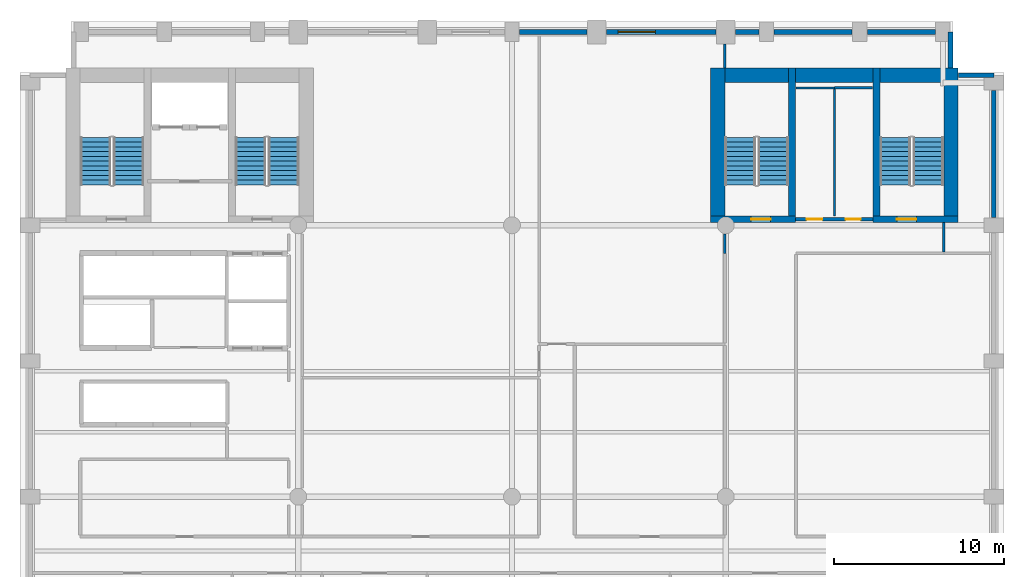
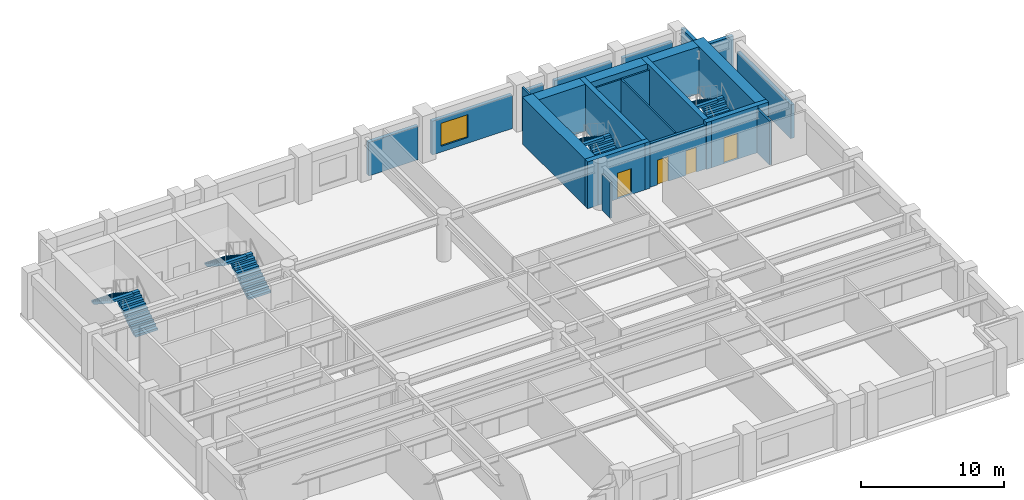
# One storey, part 5 of 7: 22 walls, 8 stair flights, 4 doors, 1 window, 5 openings, 4 elements without a shape of their own.
"""IFC4 building model written with IfcOpenShell, lengths in metres."""

from ifc_helpers import new_model, si_unit, direction, frame, frame_2d, origin, place, context, subcontext, project, spatial, polyline, rectangle, outline, extrude, material, layer, layer_set, type_object, element, fill, aggregate, save


model = new_model("IFC4")

# Units and contexts
model_context = context("Model", 3, precision=1e-05, world=origin(), true_north=direction((0.0, 1.0)))
body_context = subcontext(model_context, "Body", "Model", "MODEL_VIEW")
ifc_project = project(units=[si_unit("LENGTHUNIT", "METRE"), si_unit("AREAUNIT", "SQUARE_METRE"), si_unit("VOLUMEUNIT", "CUBIC_METRE"), si_unit("PLANEANGLEUNIT", "RADIAN"), si_unit("MASSUNIT", "GRAM", prefix="KILO")], contexts=[model_context])

# Site, building, storey
site_placement = place(None, origin())
site = spatial("IfcSite", under=ifc_project, at=site_placement, CompositionType="ELEMENT")
building_placement = place(site_placement, origin())
building = spatial("IfcBuilding", under=site, at=building_placement, Name="Sulina Concourse Tower", CompositionType="ELEMENT")
storey_placement = place(building_placement, frame((0.0, 0.0, 92.60009765625)))
storey = spatial("IfcBuildingStorey", under=building, at=storey_placement, Name="L22", CompositionType="ELEMENT", Elevation=92.60009765625)

# Wall, openings, doors
ifc_material_1 = material(Name="Gypsum board on steel stud", Category="steel")
ifc_layer_1 = layer(ifc_material_1, 0.219970703125)
ifc_layer_set_1 = layer_set([ifc_layer_1], Name="Gypsum board on steel stud")
wall_type_1 = type_object("IfcWallType", Name="Fire-Rated Lobby & Compartment Wall 220mm", PredefinedType="PARTITIONING", material=ifc_layer_set_1)
wall_1_placement = place(storey_placement, frame((45.719970703125, 34.35009765625, 0.0), z_axis=(0.0, 0.0, 1.0), x_axis=(1.0, 0.0, 0.0)))
wall_1 = element("IfcWall", 1, at=wall_1_placement, inside=storey, type_object=wall_type_1, Name="L22 east core south lobby wall", PredefinedType="PARTITIONING", context=body_context, shape_type="SweptSolid", body=[
    extrude(rectangle(XDim=4.56005859375, YDim=0.219970703125, at=frame_2d((2.280029296875, 0.0))), origin(), (0.0, 0.0, 1.0), 3.724853515625),
])
opening_1_placement = place(wall_1_placement, frame((0.64990234375, 0.0, 0.0)))
opening_1 = element("IfcOpeningElement", 2, at=opening_1_placement, cuts=wall_1, Name="Opening DR-61", PredefinedType="OPENING", context=body_context, shape_type="SweptSolid", body=[
    extrude(rectangle(XDim=0.919921875, YDim=2.10009765625, at=frame_2d((0.4599609375, 1.050048828125))), frame((0.0, 0.119873046875, 0.0), z_axis=(0.0, -1.0, 0.0), x_axis=(1.0, 0.0, 0.0)), (0.0, 0.0, 1.0), 0.239990234375),
])
opening_2_placement = place(wall_1_placement, frame((2.949951171875, 0.0, 0.0)))
opening_2 = element("IfcOpeningElement", 3, at=opening_2_placement, cuts=wall_1, Name="Opening DR-38", PredefinedType="OPENING", context=body_context, shape_type="SweptSolid", body=[
    extrude(rectangle(XDim=0.8798828125, YDim=2.10009765625, at=frame_2d((0.43994140625, 1.050048828125))), frame((0.0, 0.119873046875, 0.0), z_axis=(0.0, -1.0, 0.0), x_axis=(1.0, 0.0, 0.0)), (0.0, 0.0, 1.0), 0.239990234375),
])
ifc_material_2 = material(Name="Oak-veneered fire door leaf")
ifc_layer_2 = layer(ifc_material_2, 0.050048828125)
ifc_layer_set_2 = layer_set([ifc_layer_2], Name="Oak-veneered fire door leaf")
door_type_1 = type_object("IfcDoorType", Name="Accessible WC Door 920x2100", OperationType="NOTDEFINED", PredefinedType="DOOR", material=ifc_layer_set_2)
door_1_placement = place(opening_1_placement, origin())
door_1 = element("IfcDoor", 4, at=door_1_placement, inside=storey, type_object=door_type_1, Name="L22 east core accessible wc door", OperationType="SINGLE_SWING_LEFT", OverallHeight=2.10009765625, OverallWidth=0.919921875, PredefinedType="DOOR", context=body_context, shape_type="SweptSolid", body=[
    extrude(rectangle(XDim=0.919921875, YDim=2.10009765625, at=frame_2d((0.4599609375, 1.050048828125))), frame((0.0, 0.02490234375, 0.0), z_axis=(0.0, -1.0, 0.0), x_axis=(1.0, 0.0, 0.0)), (0.0, 0.0, 1.0), 0.050048828125),
])
fill(opening_1, door_1)
ifc_material_3 = material(Name="Galvanised steel acoustic fire leaf", Category="steel")
ifc_layer_3 = layer(ifc_material_3, 0.050048828125)
ifc_layer_set_3 = layer_set([ifc_layer_3], Name="Galvanised steel acoustic fire leaf")
door_type_2 = type_object("IfcDoorType", Name="Service Riser Fire Door 880x2100", OperationType="NOTDEFINED", PredefinedType="DOOR", material=ifc_layer_set_3)
door_2_placement = place(opening_2_placement, origin())
door_2 = element("IfcDoor", 5, at=door_2_placement, inside=storey, type_object=door_type_2, Name="L22 east core store door", OperationType="SINGLE_SWING_RIGHT", OverallHeight=2.10009765625, OverallWidth=0.8798828125, PredefinedType="DOOR", context=body_context, shape_type="SweptSolid", body=[
    extrude(rectangle(XDim=0.8798828125, YDim=2.10009765625, at=frame_2d((0.43994140625, 1.050048828125))), frame((0.0, 0.02490234375, 0.0), z_axis=(0.0, -1.0, 0.0), x_axis=(1.0, 0.0, 0.0)), (0.0, 0.0, 1.0), 0.050048828125),
])
fill(opening_2, door_2)

# Walls
ifc_material_4 = material(Name="Gypsum board on steel stud", Category="steel")
ifc_layer_4 = layer(ifc_material_4, 0.14990234375)
ifc_layer_set_4 = layer_set([ifc_layer_4], Name="Gypsum board on steel stud")
wall_type_2 = type_object("IfcWallType", Name="Inter-Tenancy Acoustic Partition 150mm", PredefinedType="PARTITIONING", material=ifc_layer_set_4)
wall_2_placement = place(storey_placement, frame((48.0, 42.10009765625, 0.0), z_axis=(0.0, 0.0, 1.0), x_axis=(1.0, 0.0, 0.0)))
element("IfcWall", 6, at=wall_2_placement, inside=storey, type_object=wall_type_2, Name="L22 interior partition 022", PredefinedType="PARTITIONING", context=body_context, shape_type="SweptSolid", body=[
    extrude(rectangle(XDim=2.25, YDim=0.14990234375, at=frame_2d((1.125, 0.0))), origin(), (0.0, 0.0, 1.0), 3.724853515625),
])
wall_3_placement = place(storey_placement, frame((41.550048828125, 32.35009765625, 0.0), z_axis=(0.0, 0.0, 1.0), x_axis=(0.0, 1.0, 0.0)))
element("IfcWall", 7, at=wall_3_placement, inside=storey, type_object=wall_type_2, Name="L22 interior partition 043", PredefinedType="PARTITIONING", context=body_context, shape_type="SweptSolid", body=[
    extrude(rectangle(XDim=1.14990234375, YDim=0.14990234375, at=frame_2d((0.574951171875, 0.0))), origin(), (0.0, 0.0, 1.0), 3.06982421875),
])
wall_4_placement = place(storey_placement, frame((41.550048828125, 43.280029296875, 0.0), z_axis=(0.0, 0.0, 1.0), x_axis=(0.0, 1.0, 0.0)))
element("IfcWall", 8, at=wall_4_placement, inside=storey, type_object=wall_type_2, Name="L22 interior partition 044", PredefinedType="PARTITIONING", context=body_context, shape_type="SweptSolid", body=[
    extrude(rectangle(XDim=1.419921875, YDim=0.14990234375, at=frame_2d((0.7099609375, 0.0))), origin(), (0.0, 0.0, 1.0), 3.724853515625),
])
wall_5_placement = place(storey_placement, frame((54.449951171875, 32.425048828125, 0.0), z_axis=(0.0, 0.0, 1.0), x_axis=(0.0, 1.0, 0.0)))
element("IfcWall", 9, at=wall_5_placement, inside=storey, type_object=wall_type_2, Name="L22 interior partition 048", PredefinedType="PARTITIONING", context=body_context, shape_type="SweptSolid", body=[
    extrude(rectangle(XDim=1.724853515625, YDim=0.14990234375, at=frame_2d((0.8623046875, 0.0))), origin(), (0.0, 0.0, 1.0), 3.724853515625),
])

# Wall, opening, door
ifc_material_5 = material(Name="Concrete C60/75", Category="concrete")
ifc_layer_5 = layer(ifc_material_5, 0.39990234375)
ifc_layer_set_5 = layer_set([ifc_layer_5], Name="Concrete C60/75")
wall_type_3 = type_object("IfcWallType", Name="Protected Stair Core Shear Wall 400mm", PredefinedType="SHEAR", material=ifc_layer_set_5)
wall_6_placement = place(storey_placement, frame((40.699951171875, 34.35009765625, 0.0), z_axis=(0.0, 0.0, 1.0), x_axis=(1.0, 0.0, 0.0)))
wall_6 = element("IfcWall", 10, at=wall_6_placement, inside=storey, type_object=wall_type_3, Name="L22 east core shear wall CW-ES1", PredefinedType="SHEAR", context=body_context, shape_type="SweptSolid", body=[
    extrude(rectangle(XDim=5.010009765625, YDim=0.39990234375, at=frame_2d((2.5048828125, 0.0))), origin(), (0.0, 0.0, 1.0), 4.0),
])
opening_3_placement = place(wall_6_placement, frame((2.39990234375, 0.0, 0.0)))
opening_3 = element("IfcOpeningElement", 11, at=opening_3_placement, cuts=wall_6, Name="Opening DR-60", PredefinedType="OPENING", context=body_context, shape_type="SweptSolid", body=[
    extrude(rectangle(XDim=1.14990234375, YDim=2.199951171875, at=frame_2d((0.574951171875, 1.10009765625))), frame((0.0, 0.2099609375, 0.0), z_axis=(0.0, -1.0, 0.0), x_axis=(1.0, 0.0, 0.0)), (0.0, 0.0, 1.0), 0.419921875),
])
ifc_material_6 = material(Name="Galvanised steel acoustic fire leaf", Category="steel")
ifc_layer_6 = layer(ifc_material_6, 0.054931640625)
ifc_layer_set_6 = layer_set([ifc_layer_6], Name="Galvanised steel acoustic fire leaf")
door_type_3 = type_object("IfcDoorType", Name="Protected Exit Stair Fire Door 1150x2200", OperationType="NOTDEFINED", PredefinedType="DOOR", material=ifc_layer_set_6)
door_3_placement = place(opening_3_placement, origin())
door_3 = element("IfcDoor", 12, at=door_3_placement, inside=storey, type_object=door_type_3, Name="L22 stair ST-3 south lobby fire door", OperationType="SINGLE_SWING_RIGHT", OverallHeight=2.199951171875, OverallWidth=1.14990234375, PredefinedType="DOOR", context=body_context, shape_type="SweptSolid", body=[
    extrude(rectangle(XDim=1.14990234375, YDim=2.199951171875, at=frame_2d((0.574951171875, 1.10009765625))), frame((0.0, 0.02490234375, 0.0), z_axis=(0.0, -1.0, 0.0), x_axis=(1.0, 0.0, 0.0)), (0.0, 0.0, 1.0), 0.050048828125),
])
fill(opening_3, door_3)

# Wall
wall_7_placement = place(storey_placement, frame((45.510009765625, 34.14990234375, 0.0), z_axis=(0.0, 0.0, 1.0), x_axis=(0.0, 1.0, 0.0)))
element("IfcWall", 13, at=wall_7_placement, inside=storey, type_object=wall_type_3, Name="L22 east core shear wall SW-ST3", PredefinedType="SHEAR", context=body_context, shape_type="SweptSolid", body=[
    extrude(rectangle(XDim=9.130126953125, YDim=0.39990234375, at=frame_2d((4.56494140625, 0.0))), origin(), (0.0, 0.0, 1.0), 4.0),
])

# Wall, opening, door
wall_8_placement = place(storey_placement, frame((50.2900390625, 34.35009765625, 0.0), z_axis=(0.0, 0.0, 1.0), x_axis=(1.0, 0.0, 0.0)))
wall_8 = element("IfcWall", 14, at=wall_8_placement, inside=storey, type_object=wall_type_3, Name="L22 east core shear wall CW-ES2", PredefinedType="SHEAR", context=body_context, shape_type="SweptSolid", body=[
    extrude(rectangle(XDim=5.010009765625, YDim=0.39990234375, at=frame_2d((2.5048828125, 0.0))), origin(), (0.0, 0.0, 1.0), 4.0),
])
opening_4_placement = place(wall_8_placement, frame((1.39990234375, 0.0, 0.0)))
opening_4 = element("IfcOpeningElement", 15, at=opening_4_placement, cuts=wall_8, Name="Opening DR-60", PredefinedType="OPENING", context=body_context, shape_type="SweptSolid", body=[
    extrude(rectangle(XDim=1.14990234375, YDim=2.199951171875, at=frame_2d((0.574951171875, 1.10009765625))), frame((0.0, 0.2099609375, 0.0), z_axis=(0.0, -1.0, 0.0), x_axis=(1.0, 0.0, 0.0)), (0.0, 0.0, 1.0), 0.419921875),
])
door_4_placement = place(opening_4_placement, origin())
door_4 = element("IfcDoor", 16, at=door_4_placement, inside=storey, type_object=door_type_3, Name="L22 stair ST-4 south lobby fire door", OperationType="SINGLE_SWING_LEFT", OverallHeight=2.199951171875, OverallWidth=1.14990234375, PredefinedType="DOOR", context=body_context, shape_type="SweptSolid", body=[
    extrude(rectangle(XDim=1.14990234375, YDim=2.199951171875, at=frame_2d((0.574951171875, 1.10009765625))), frame((0.0, 0.02490234375, 0.0), z_axis=(0.0, -1.0, 0.0), x_axis=(1.0, 0.0, 0.0)), (0.0, 0.0, 1.0), 0.050048828125),
])
fill(opening_4, door_4)

# Walls
wall_9_placement = place(storey_placement, frame((50.489990234375, 34.14990234375, 0.0), z_axis=(0.0, 0.0, 1.0), x_axis=(0.0, 1.0, 0.0)))
element("IfcWall", 17, at=wall_9_placement, inside=storey, type_object=wall_type_3, Name="L22 east core shear wall SW-ST4", PredefinedType="SHEAR", context=body_context, shape_type="SweptSolid", body=[
    extrude(rectangle(XDim=9.130126953125, YDim=0.39990234375, at=frame_2d((4.56494140625, 0.0))), origin(), (0.0, 0.0, 1.0), 4.0),
])
ifc_material_7 = material(Name="Concrete C60/75", Category="concrete")
ifc_layer_7 = layer(ifc_material_7, 0.85009765625)
ifc_layer_set_7 = layer_set([ifc_layer_7], Name="Concrete C60/75")
wall_type_4 = type_object("IfcWallType", Name="Rear Core Shear Wall 850mm", PredefinedType="SHEAR", material=ifc_layer_set_7)
wall_10_placement = place(storey_placement, frame((40.699951171875, 42.85498046875, 0.0), z_axis=(0.0, 0.0, 1.0), x_axis=(1.0, 0.0, 0.0)))
element("IfcWall", 18, at=wall_10_placement, inside=storey, type_object=wall_type_4, Name="L22 east core shear wall CW-EN", PredefinedType="SHEAR", context=body_context, shape_type="SweptSolid", body=[
    extrude(rectangle(XDim=14.60009765625, YDim=0.85009765625, at=frame_2d((7.300048828125, 0.0))), origin(), (0.0, 0.0, 1.0), 4.0),
])
for number, where, z_axis, x_axis, name in (
    (19, (41.125, 34.14990234375, 0.0), (0.0, 0.0, 1.0), (0.0, 1.0, 0.0), "L22 east core shear wall CW-EW"),
    (20, (54.875, 34.14990234375, 0.0), (0.0, 0.0, 1.0), (0.0, 1.0, 0.0), "L22 east core shear wall CW-EE"),
):
    element("IfcWall", number, at=place(storey_placement, frame(where, z_axis=z_axis, x_axis=x_axis)), inside=storey, type_object=wall_type_4, Name=name, PredefinedType="SHEAR", context=body_context, shape_type="SweptSolid", body=[
        extrude(rectangle(XDim=9.130126953125, YDim=0.85009765625, at=frame_2d((4.56494140625, 0.0))), origin(), (0.0, 0.0, 1.0), 4.0),
    ])
ifc_material_8 = material(Name="Precast concrete C50/60", Category="concrete")
ifc_layer_8 = layer(ifc_material_8, 0.280029296875)
ifc_layer_set_8 = layer_set([ifc_layer_8], Name="Precast concrete C50/60")
wall_type_5 = type_object("IfcWallType", Name="Typical Precast Masonry-Frame Facade Wall 280mm", PredefinedType="SOLIDWALL", material=ifc_layer_set_8)
wall_11_placement = place(storey_placement, frame((29.445068359375, 45.39990234375, 0.0), z_axis=(0.0, 0.0, 1.0), x_axis=(1.0, 0.0, 0.0)))
element("IfcWall", 21, at=wall_11_placement, inside=storey, type_object=wall_type_5, Name="L22 exterior precast wall N6", PredefinedType="SOLIDWALL", context=body_context, shape_type="SweptSolid", body=[
    extrude(rectangle(XDim=3.98486328125, YDim=0.280029296875, at=frame_2d((1.992431640625, 0.0))), origin(), (0.0, 0.0, 1.0), 2.875),
])

# Wall, opening, window
wall_12_placement = place(storey_placement, frame((34.570068359375, 45.39990234375, 0.0), z_axis=(0.0, 0.0, 1.0), x_axis=(1.0, 0.0, 0.0)))
wall_12 = element("IfcWall", 22, at=wall_12_placement, inside=storey, type_object=wall_type_5, Name="L22 exterior precast wall N7", PredefinedType="SOLIDWALL", context=body_context, shape_type="SweptSolid", body=[
    extrude(rectangle(XDim=6.4599609375, YDim=0.280029296875, at=frame_2d((3.22998046875, 0.0))), origin(), (0.0, 0.0, 1.0), 2.875),
])
opening_5_placement = place(wall_12_placement, frame((0.686767578125, 0.0, 0.5)))
opening_5 = element("IfcOpeningElement", 23, at=opening_5_placement, cuts=wall_12, Name="Opening WN-76", PredefinedType="OPENING", context=body_context, shape_type="SweptSolid", body=[
    extrude(rectangle(XDim=2.199951171875, YDim=1.949951171875, at=frame_2d((1.10009765625, 0.97509765625))), frame((0.0, 0.14990234375, 0.0), z_axis=(0.0, -1.0, 0.0), x_axis=(1.0, 0.0, 0.0)), (0.0, 0.0, 1.0), 0.300048828125),
])
ifc_material_9 = material(Name="Low-E solar double glazing in bronze aluminium", Category="aluminium")
window_type = type_object("IfcWindowType", Name="Recessed Spandrel Window 2200x1950", PartitioningType="DOUBLE_PANEL_VERTICAL", PredefinedType="WINDOW", material=ifc_material_9)
window_placement = place(opening_5_placement, origin())
window = element("IfcWindow", 24, at=window_placement, inside=storey, type_object=window_type, Name="L22 punched window N7-1", OverallHeight=1.949951171875, OverallWidth=2.199951171875, PartitioningType="SINGLE_PANEL", PredefinedType="WINDOW", context=body_context, shape_type="SweptSolid", body=[
    extrude(rectangle(XDim=2.199951171875, YDim=1.949951171875, at=frame_2d((1.10009765625, 0.97509765625))), frame((0.0, 0.030029296875, 0.0), z_axis=(0.0, -1.0, 0.0), x_axis=(1.0, 0.0, 0.0)), (0.0, 0.0, 1.0), 0.06005859375),
])
fill(opening_5, window)

# Walls
wall_13_placement = place(storey_placement, frame((42.169921875, 45.39990234375, 0.0), z_axis=(0.0, 0.0, 1.0), x_axis=(1.0, 0.0, 0.0)))
element("IfcWall", 25, at=wall_13_placement, inside=storey, type_object=wall_type_5, Name="L22 exterior precast wall N8", PredefinedType="SOLIDWALL", context=body_context, shape_type="SweptSolid", body=[
    extrude(rectangle(XDim=1.385009765625, YDim=0.280029296875, at=frame_2d((0.6923828125, 0.0))), origin(), (0.0, 0.0, 1.0), 2.875),
])
wall_14_placement = place(storey_placement, frame((44.445068359375, 45.39990234375, 0.0), z_axis=(0.0, 0.0, 1.0), x_axis=(1.0, 0.0, 0.0)))
element("IfcWall", 26, at=wall_14_placement, inside=storey, type_object=wall_type_5, Name="L22 exterior precast wall N9", PredefinedType="SOLIDWALL", context=body_context, shape_type="SweptSolid", body=[
    extrude(rectangle(XDim=4.60986328125, YDim=0.280029296875, at=frame_2d((2.304931640625, 0.0))), origin(), (0.0, 0.0, 1.0), 2.875),
])
wall_15_placement = place(storey_placement, frame((49.945068359375, 45.39990234375, 0.0), z_axis=(0.0, 0.0, 1.0), x_axis=(1.0, 0.0, 0.0)))
element("IfcWall", 27, at=wall_15_placement, inside=storey, type_object=wall_type_5, Name="L22 exterior precast wall N10", PredefinedType="SOLIDWALL", context=body_context, shape_type="SweptSolid", body=[
    extrude(rectangle(XDim=4.010009765625, YDim=0.280029296875, at=frame_2d((2.0048828125, 0.0))), origin(), (0.0, 0.0, 1.0), 2.875),
])
wall_16_placement = place(storey_placement, frame((57.39990234375, 41.955078125, 0.0), z_axis=(0.0, 0.0, 1.0), x_axis=(0.0, -1.0, 0.0)))
element("IfcWall", 28, at=wall_16_placement, inside=storey, type_object=wall_type_5, Name="L22 exterior precast wall E5", PredefinedType="SOLIDWALL", context=body_context, shape_type="SweptSolid", body=[
    extrude(rectangle(XDim=7.510009765625, YDim=0.280029296875, at=frame_2d((3.7548828125, 0.0))), origin(), (0.0, 0.0, 1.0), 2.875),
])
wall_17_placement = place(storey_placement, frame((54.844970703125, 45.39990234375, 0.0), z_axis=(0.0, 0.0, 1.0), x_axis=(0.0, -1.0, 0.0)))
element("IfcWall", 29, at=wall_17_placement, inside=storey, type_object=wall_type_5, Name="L22 exterior precast wall CNE1", PredefinedType="SOLIDWALL", context=body_context, shape_type="SweptSolid", body=[
    extrude(rectangle(XDim=2.114990234375, YDim=0.280029296875, at=frame_2d((1.0576171875, 0.0))), origin(), (0.0, 0.0, 1.0), 3.724853515625),
])
wall_18_placement = place(storey_placement, frame((55.304931640625, 42.844970703125, 0.0), z_axis=(0.0, 0.0, 1.0), x_axis=(1.0, 0.0, 0.0)))
element("IfcWall", 30, at=wall_18_placement, inside=storey, type_object=wall_type_5, Name="L22 exterior precast wall CNE2", PredefinedType="SOLIDWALL", context=body_context, shape_type="SweptSolid", body=[
    extrude(rectangle(XDim=2.094970703125, YDim=0.280029296875, at=frame_2d((1.04736328125, 0.0))), origin(), (0.0, 0.0, 1.0), 3.724853515625),
])
ifc_material_10 = material(Name="Gypsum board on steel stud", Category="steel")
ifc_layer_9 = layer(ifc_material_10, 0.125)
ifc_layer_set_9 = layer_set([ifc_layer_9], Name="Gypsum board on steel stud")
wall_type_6 = type_object("IfcWallType", Name="Wet-Area Moisture-Resistant Partition 125mm", PredefinedType="PARTITIONING", material=ifc_layer_set_9)
wall_19_placement = place(storey_placement, frame((45.75, 42.10009765625, 0.0), z_axis=(0.0, 0.0, 1.0), x_axis=(1.0, 0.0, 0.0)))
element("IfcWall", 31, at=wall_19_placement, inside=storey, type_object=wall_type_6, Name="L22 interior partition 021", PredefinedType="PARTITIONING", context=body_context, shape_type="SweptSolid", body=[
    extrude(rectangle(XDim=2.25, YDim=0.125, at=frame_2d((1.125, 0.0))), origin(), (0.0, 0.0, 1.0), 3.724853515625),
])
wall_20_placement = place(storey_placement, frame((48.0, 34.550048828125, 0.0), z_axis=(0.0, 0.0, 1.0), x_axis=(0.0, 1.0, 0.0)))
element("IfcWall", 32, at=wall_20_placement, inside=storey, type_object=wall_type_6, Name="L22 interior partition 046", PredefinedType="PARTITIONING", context=body_context, shape_type="SweptSolid", body=[
    extrude(rectangle(XDim=7.474853515625, YDim=0.125, at=frame_2d((3.7373046875, 0.0))), origin(), (0.0, 0.0, 1.0), 3.724853515625),
])

# Stair, stair flights
ifc_material_11 = material(Name="Concrete C50/60", Category="concrete")
stair_type_1 = type_object("IfcStairType", Name="Portal & Podium Core Exit Stair 1820mm", PredefinedType="HALF_TURN_STAIR", material=ifc_material_11)
stair_1_placement = place(storey_placement, origin())
stair_1 = element("IfcStair", 33, at=stair_1_placement, inside=storey, type_object=stair_type_1, Name="L22 ST-3", PredefinedType="HALF_TURN_STAIR")
ifc_material_12 = material(Name="Concrete C50/60", Category="concrete")
stair_flight_type_1 = type_object("IfcStairFlightType", Name="Portal & Podium Core Exit Stair 1820mm Flight", PredefinedType="STRAIGHT", material=ifc_material_12)
stair_flight_1_placement = place(storey_placement, frame((44.405029296875, 36.375, 0.0), z_axis=(0.0, 0.0, 1.0), x_axis=(0.0, 1.0, 0.0)))
stair_flight_1 = element("IfcStairFlight", 34, at=stair_flight_1_placement, type_object=stair_flight_type_1, Name="ST-3 flight 1", NumberOfRisers=11, NumberOfTreads=10, PredefinedType="STRAIGHT", RiserHeight=0.181818182, TreadLength=0.28, context=body_context, shape_type="SweptSolid", body=[
    extrude(outline(polyline([(0.0, 0.0), (0.0, 0.181884765625), (0.280029296875, 0.181884765625), (0.280029296875, 0.363525390625), (0.56005859375, 0.363525390625), (0.56005859375, 0.54541015625), (0.840087890625, 0.54541015625), (0.840087890625, 0.727294921875), (1.1201171875, 0.727294921875), (1.1201171875, 0.9091796875), (1.39990234375, 0.9091796875), (1.39990234375, 1.0908203125), (1.679931640625, 1.0908203125), (1.679931640625, 1.272705078125), (1.9599609375, 1.272705078125), (1.9599609375, 1.45458984375), (2.239990234375, 1.45458984375), (2.239990234375, 1.636474609375), (2.52001953125, 1.636474609375), (2.52001953125, 1.818115234375), (2.800048828125, 1.818115234375), (2.800048828125, 2.0), (2.800048828125, 1.603759765625), (0.330322265625, 0.0), (0.0, 0.0)])), frame((0.0, 0.89990234375, 0.0), z_axis=(0.0, -1.0, 0.0), x_axis=(1.0, 0.0, 0.0)), (0.0, 0.0, 1.0), 1.800048828125),
])
stair_flight_2_placement = place(storey_placement, frame((42.455078125, 39.175048828125, 2.0), z_axis=(0.0, 0.0, 1.0), x_axis=(0.0, -1.0, 0.0)))
stair_flight_2 = element("IfcStairFlight", 35, at=stair_flight_2_placement, type_object=stair_flight_type_1, Name="ST-3 flight 2", NumberOfRisers=11, NumberOfTreads=10, PredefinedType="STRAIGHT", RiserHeight=0.181818182, TreadLength=0.28, context=body_context, shape_type="SweptSolid", body=[
    extrude(outline(polyline([(0.0, 0.0), (0.0, 0.181884765625), (0.280029296875, 0.181884765625), (0.280029296875, 0.363525390625), (0.56005859375, 0.363525390625), (0.56005859375, 0.54541015625), (0.840087890625, 0.54541015625), (0.840087890625, 0.727294921875), (1.1201171875, 0.727294921875), (1.1201171875, 0.9091796875), (1.39990234375, 0.9091796875), (1.39990234375, 1.0908203125), (1.679931640625, 1.0908203125), (1.679931640625, 1.272705078125), (1.9599609375, 1.272705078125), (1.9599609375, 1.45458984375), (2.239990234375, 1.45458984375), (2.239990234375, 1.636474609375), (2.52001953125, 1.636474609375), (2.52001953125, 1.818115234375), (2.800048828125, 1.818115234375), (2.800048828125, 2.0), (2.800048828125, 1.603759765625), (0.330322265625, 0.0), (0.0, 0.0)])), frame((0.0, 0.89990234375, 0.0), z_axis=(0.0, -1.0, 0.0), x_axis=(1.0, 0.0, 0.0)), (0.0, 0.0, 1.0), 1.800048828125),
])
aggregate(stair_1, [stair_flight_1, stair_flight_2])

stair_2_placement = place(storey_placement, origin())
stair_2 = element("IfcStair", 36, at=stair_2_placement, inside=storey, type_object=stair_type_1, Name="L22 ST-4", PredefinedType="HALF_TURN_STAIR")
stair_flight_3_placement = place(storey_placement, frame((53.544921875, 36.375, 0.0), z_axis=(0.0, 0.0, 1.0), x_axis=(0.0, 1.0, 0.0)))
stair_flight_3 = element("IfcStairFlight", 37, at=stair_flight_3_placement, type_object=stair_flight_type_1, Name="ST-4 flight 1", NumberOfRisers=11, NumberOfTreads=10, PredefinedType="STRAIGHT", RiserHeight=0.181818182, TreadLength=0.28, context=body_context, shape_type="SweptSolid", body=[
    extrude(outline(polyline([(0.0, 0.0), (0.0, 0.181884765625), (0.280029296875, 0.181884765625), (0.280029296875, 0.363525390625), (0.56005859375, 0.363525390625), (0.56005859375, 0.54541015625), (0.840087890625, 0.54541015625), (0.840087890625, 0.727294921875), (1.1201171875, 0.727294921875), (1.1201171875, 0.9091796875), (1.39990234375, 0.9091796875), (1.39990234375, 1.0908203125), (1.679931640625, 1.0908203125), (1.679931640625, 1.272705078125), (1.9599609375, 1.272705078125), (1.9599609375, 1.45458984375), (2.239990234375, 1.45458984375), (2.239990234375, 1.636474609375), (2.52001953125, 1.636474609375), (2.52001953125, 1.818115234375), (2.800048828125, 1.818115234375), (2.800048828125, 2.0), (2.800048828125, 1.603759765625), (0.330322265625, 0.0), (0.0, 0.0)])), frame((0.0, 0.89990234375, 0.0), z_axis=(0.0, -1.0, 0.0), x_axis=(1.0, 0.0, 0.0)), (0.0, 0.0, 1.0), 1.800048828125),
])
stair_flight_4_placement = place(storey_placement, frame((51.594970703125, 39.175048828125, 2.0), z_axis=(0.0, 0.0, 1.0), x_axis=(0.0, -1.0, 0.0)))
stair_flight_4 = element("IfcStairFlight", 38, at=stair_flight_4_placement, type_object=stair_flight_type_1, Name="ST-4 flight 2", NumberOfRisers=11, NumberOfTreads=10, PredefinedType="STRAIGHT", RiserHeight=0.181818182, TreadLength=0.28, context=body_context, shape_type="SweptSolid", body=[
    extrude(outline(polyline([(0.0, 0.0), (0.0, 0.181884765625), (0.280029296875, 0.181884765625), (0.280029296875, 0.363525390625), (0.56005859375, 0.363525390625), (0.56005859375, 0.54541015625), (0.840087890625, 0.54541015625), (0.840087890625, 0.727294921875), (1.1201171875, 0.727294921875), (1.1201171875, 0.9091796875), (1.39990234375, 0.9091796875), (1.39990234375, 1.0908203125), (1.679931640625, 1.0908203125), (1.679931640625, 1.272705078125), (1.9599609375, 1.272705078125), (1.9599609375, 1.45458984375), (2.239990234375, 1.45458984375), (2.239990234375, 1.636474609375), (2.52001953125, 1.636474609375), (2.52001953125, 1.818115234375), (2.800048828125, 1.818115234375), (2.800048828125, 2.0), (2.800048828125, 1.603759765625), (0.330322265625, 0.0), (0.0, 0.0)])), frame((0.0, 0.89990234375, 0.0), z_axis=(0.0, -1.0, 0.0), x_axis=(1.0, 0.0, 0.0)), (0.0, 0.0, 1.0), 1.800048828125),
])
aggregate(stair_2, [stair_flight_3, stair_flight_4])

ifc_material_13 = material(Name="Concrete C50/60", Category="concrete")
stair_type_2 = type_object("IfcStairType", Name="Primary Core Dog-Leg Exit Stair 1800mm", PredefinedType="HALF_TURN_STAIR", material=ifc_material_13)
stair_3_placement = place(storey_placement, origin())
stair_3 = element("IfcStair", 39, at=stair_3_placement, inside=storey, type_object=stair_type_2, Name="L22 ST-1", PredefinedType="HALF_TURN_STAIR")
ifc_material_14 = material(Name="Concrete C50/60", Category="concrete")
stair_flight_type_2 = type_object("IfcStairFlightType", Name="Primary Core Dog-Leg Exit Stair 1800mm Flight", PredefinedType="STRAIGHT", material=ifc_material_14)
stair_flight_5_placement = place(storey_placement, frame((6.405029296875, 36.375, 0.0), z_axis=(0.0, 0.0, 1.0), x_axis=(0.0, 1.0, 0.0)))
stair_flight_5 = element("IfcStairFlight", 40, at=stair_flight_5_placement, type_object=stair_flight_type_2, Name="ST-1 flight 1", NumberOfRisers=11, NumberOfTreads=10, PredefinedType="STRAIGHT", RiserHeight=0.181818182, TreadLength=0.28, context=body_context, shape_type="SweptSolid", body=[
    extrude(outline(polyline([(0.0, 0.0), (0.0, 0.181884765625), (0.280029296875, 0.181884765625), (0.280029296875, 0.363525390625), (0.56005859375, 0.363525390625), (0.56005859375, 0.54541015625), (0.840087890625, 0.54541015625), (0.840087890625, 0.727294921875), (1.1201171875, 0.727294921875), (1.1201171875, 0.9091796875), (1.39990234375, 0.9091796875), (1.39990234375, 1.0908203125), (1.679931640625, 1.0908203125), (1.679931640625, 1.272705078125), (1.9599609375, 1.272705078125), (1.9599609375, 1.45458984375), (2.239990234375, 1.45458984375), (2.239990234375, 1.636474609375), (2.52001953125, 1.636474609375), (2.52001953125, 1.818115234375), (2.800048828125, 1.818115234375), (2.800048828125, 2.0), (2.800048828125, 1.603759765625), (0.330322265625, 0.0), (0.0, 0.0)])), frame((0.0, 0.89990234375, 0.0), z_axis=(0.0, -1.0, 0.0), x_axis=(1.0, 0.0, 0.0)), (0.0, 0.0, 1.0), 1.800048828125),
])
stair_flight_6_placement = place(storey_placement, frame((4.455078125, 39.175048828125, 2.0), z_axis=(0.0, 0.0, 1.0), x_axis=(0.0, -1.0, 0.0)))
stair_flight_6 = element("IfcStairFlight", 41, at=stair_flight_6_placement, type_object=stair_flight_type_2, Name="ST-1 flight 2", NumberOfRisers=11, NumberOfTreads=10, PredefinedType="STRAIGHT", RiserHeight=0.181818182, TreadLength=0.28, context=body_context, shape_type="SweptSolid", body=[
    extrude(outline(polyline([(0.0, 0.0), (0.0, 0.181884765625), (0.280029296875, 0.181884765625), (0.280029296875, 0.363525390625), (0.56005859375, 0.363525390625), (0.56005859375, 0.54541015625), (0.840087890625, 0.54541015625), (0.840087890625, 0.727294921875), (1.1201171875, 0.727294921875), (1.1201171875, 0.9091796875), (1.39990234375, 0.9091796875), (1.39990234375, 1.0908203125), (1.679931640625, 1.0908203125), (1.679931640625, 1.272705078125), (1.9599609375, 1.272705078125), (1.9599609375, 1.45458984375), (2.239990234375, 1.45458984375), (2.239990234375, 1.636474609375), (2.52001953125, 1.636474609375), (2.52001953125, 1.818115234375), (2.800048828125, 1.818115234375), (2.800048828125, 2.0), (2.800048828125, 1.603759765625), (0.330322265625, 0.0), (0.0, 0.0)])), frame((0.0, 0.89990234375, 0.0), z_axis=(0.0, -1.0, 0.0), x_axis=(1.0, 0.0, 0.0)), (0.0, 0.0, 1.0), 1.800048828125),
])
aggregate(stair_3, [stair_flight_5, stair_flight_6])

stair_4_placement = place(storey_placement, origin())
stair_4 = element("IfcStair", 42, at=stair_4_placement, inside=storey, type_object=stair_type_2, Name="L22 ST-2", PredefinedType="HALF_TURN_STAIR")
stair_flight_7_placement = place(storey_placement, frame((15.544921875, 36.375, 0.0), z_axis=(0.0, 0.0, 1.0), x_axis=(0.0, 1.0, 0.0)))
stair_flight_7 = element("IfcStairFlight", 43, at=stair_flight_7_placement, type_object=stair_flight_type_2, Name="ST-2 flight 1", NumberOfRisers=11, NumberOfTreads=10, PredefinedType="STRAIGHT", RiserHeight=0.181818182, TreadLength=0.28, context=body_context, shape_type="SweptSolid", body=[
    extrude(outline(polyline([(0.0, 0.0), (0.0, 0.181884765625), (0.280029296875, 0.181884765625), (0.280029296875, 0.363525390625), (0.56005859375, 0.363525390625), (0.56005859375, 0.54541015625), (0.840087890625, 0.54541015625), (0.840087890625, 0.727294921875), (1.1201171875, 0.727294921875), (1.1201171875, 0.9091796875), (1.39990234375, 0.9091796875), (1.39990234375, 1.0908203125), (1.679931640625, 1.0908203125), (1.679931640625, 1.272705078125), (1.9599609375, 1.272705078125), (1.9599609375, 1.45458984375), (2.239990234375, 1.45458984375), (2.239990234375, 1.636474609375), (2.52001953125, 1.636474609375), (2.52001953125, 1.818115234375), (2.800048828125, 1.818115234375), (2.800048828125, 2.0), (2.800048828125, 1.603759765625), (0.330322265625, 0.0), (0.0, 0.0)])), frame((0.0, 0.89990234375, 0.0), z_axis=(0.0, -1.0, 0.0), x_axis=(1.0, 0.0, 0.0)), (0.0, 0.0, 1.0), 1.800048828125),
])
stair_flight_8_placement = place(storey_placement, frame((13.594970703125, 39.175048828125, 2.0), z_axis=(0.0, 0.0, 1.0), x_axis=(0.0, -1.0, 0.0)))
stair_flight_8 = element("IfcStairFlight", 44, at=stair_flight_8_placement, type_object=stair_flight_type_2, Name="ST-2 flight 2", NumberOfRisers=11, NumberOfTreads=10, PredefinedType="STRAIGHT", RiserHeight=0.181818182, TreadLength=0.28, context=body_context, shape_type="SweptSolid", body=[
    extrude(outline(polyline([(0.0, 0.0), (0.0, 0.181884765625), (0.280029296875, 0.181884765625), (0.280029296875, 0.363525390625), (0.56005859375, 0.363525390625), (0.56005859375, 0.54541015625), (0.840087890625, 0.54541015625), (0.840087890625, 0.727294921875), (1.1201171875, 0.727294921875), (1.1201171875, 0.9091796875), (1.39990234375, 0.9091796875), (1.39990234375, 1.0908203125), (1.679931640625, 1.0908203125), (1.679931640625, 1.272705078125), (1.9599609375, 1.272705078125), (1.9599609375, 1.45458984375), (2.239990234375, 1.45458984375), (2.239990234375, 1.636474609375), (2.52001953125, 1.636474609375), (2.52001953125, 1.818115234375), (2.800048828125, 1.818115234375), (2.800048828125, 2.0), (2.800048828125, 1.603759765625), (0.330322265625, 0.0), (0.0, 0.0)])), frame((0.0, 0.89990234375, 0.0), z_axis=(0.0, -1.0, 0.0), x_axis=(1.0, 0.0, 0.0)), (0.0, 0.0, 1.0), 1.800048828125),
])
aggregate(stair_4, [stair_flight_7, stair_flight_8])

save(model, "model.ifc")
